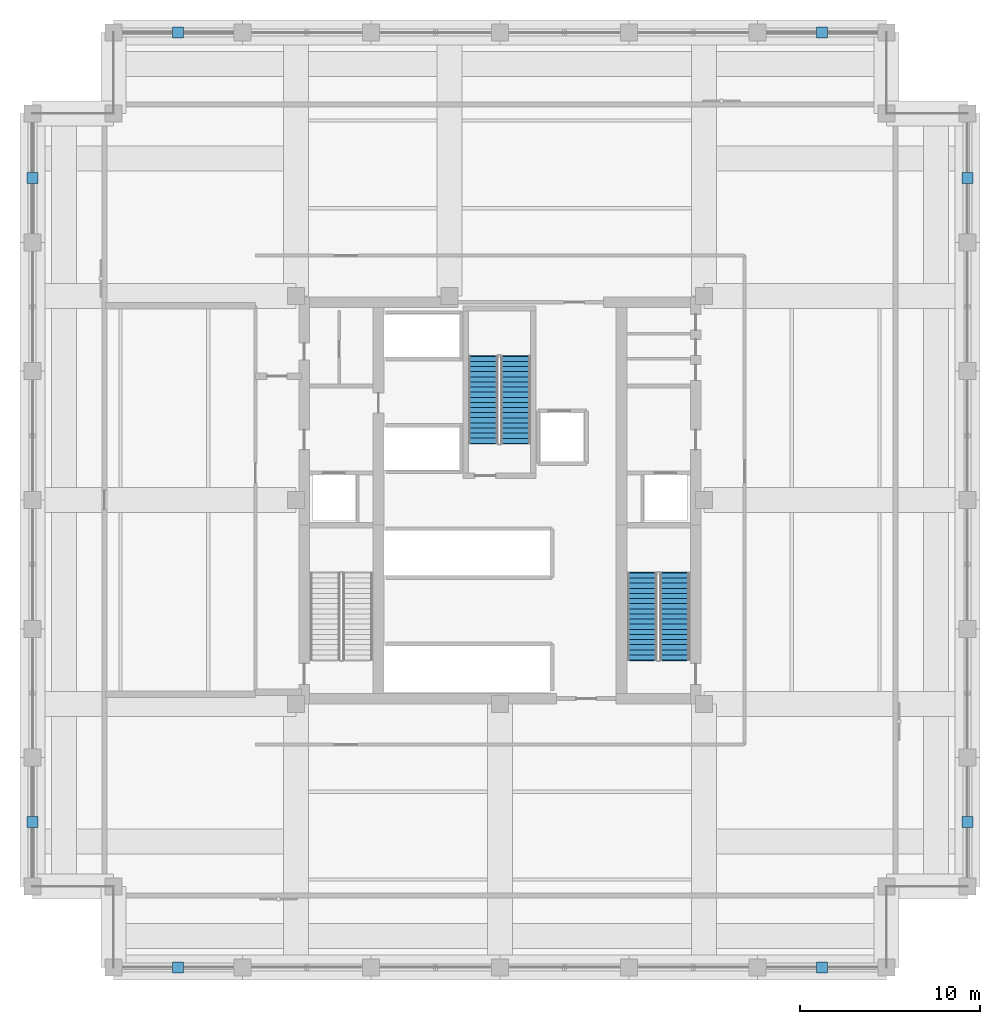
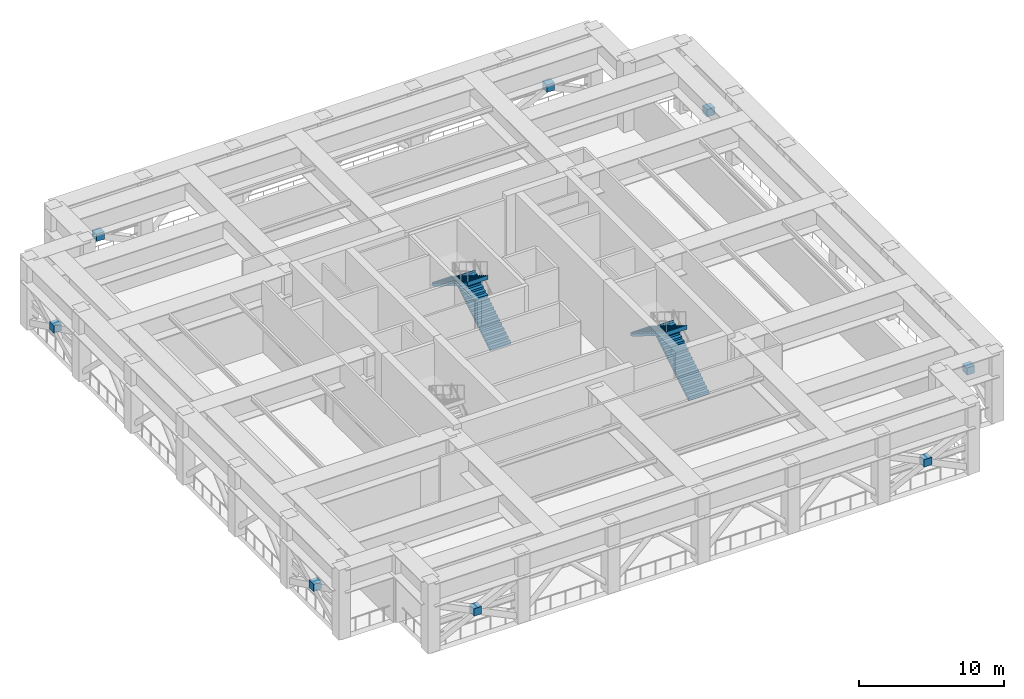
# One storey, part 5 of 12: 8 discrete accessories, 4 stair flights, 2 elements without a shape of their own.
"""IFC4 building model written with IfcOpenShell, lengths in metres."""

from ifc_helpers import new_model, si_unit, direction, frame, origin, origin_2d, place, context, subcontext, project, spatial, polyline, rectangle, outline, extrude, material, type_object, element, aggregate, save


model = new_model("IFC4")

# Units and contexts
model_context = context("Model", 3, precision=1e-05, world=origin(), true_north=direction((0.0, 1.0)))
body_context = subcontext(model_context, "Body", "Model", "MODEL_VIEW")
ifc_project = project(units=[si_unit("LENGTHUNIT", "METRE"), si_unit("AREAUNIT", "SQUARE_METRE"), si_unit("VOLUMEUNIT", "CUBIC_METRE"), si_unit("PLANEANGLEUNIT", "RADIAN"), si_unit("MASSUNIT", "GRAM", prefix="KILO")], contexts=[model_context])

# Site, building, storey
site_placement = place(None, origin())
site = spatial("IfcSite", under=ifc_project, at=site_placement, CompositionType="ELEMENT")
building_placement = place(site_placement, origin())
building = spatial("IfcBuilding", under=site, at=building_placement, Name="Nhamokura Convention Tower", CompositionType="ELEMENT")
storey_placement = place(building_placement, frame((0.0, 0.0, 176.050048828125)))
storey = spatial("IfcBuildingStorey", under=building, at=storey_placement, Name="L43", CompositionType="ELEMENT", Elevation=176.050048828125)

# Stair, stair flights
ifc_material_1 = material(Name="Concrete C40/50", Category="concrete")
stair_type = type_object("IfcStairType", Name="TowerCoreStair_1650", PredefinedType="HALF_TURN_STAIR", material=ifc_material_1)
stair_1_placement = place(storey_placement, origin())
stair_1 = element("IfcStair", 1, at=stair_1_placement, inside=storey, type_object=stair_type, Name="L43 East Core Smokeproof Stair ST-02", PredefinedType="HALF_TURN_STAIR")
ifc_material_2 = material(Name="Concrete C40/50", Category="concrete")
stair_flight_type = type_object("IfcStairFlightType", Name="TowerCoreStair_1650_Flight", PredefinedType="STRAIGHT", material=ifc_material_2)
stair_flight_1_placement = place(storey_placement, frame((41.72509765625, 23.10009765625, 0.0), z_axis=(0.0, 0.0, 1.0), x_axis=(0.0, 1.0, 0.0)))
stair_flight_1 = element("IfcStairFlight", 2, at=stair_flight_1_placement, type_object=stair_flight_type, Name="ST-02 flight 1", NumberOfRisers=18, NumberOfTreads=17, PredefinedType="STRAIGHT", RiserHeight=0.175, TreadLength=0.285, context=body_context, shape_type="SweptSolid", body=[
    extrude(outline(polyline([(-0.0419921875, 0.0), (0.0, 0.175048828125), (0.284912109375, 0.175048828125), (0.284912109375, 0.35009765625), (0.570068359375, 0.35009765625), (0.570068359375, 0.52490234375), (0.85498046875, 0.52490234375), (0.85498046875, 0.699951171875), (1.139892578125, 0.699951171875), (1.139892578125, 0.875), (1.425048828125, 0.875), (1.425048828125, 1.050048828125), (1.7099609375, 1.050048828125), (1.7099609375, 1.22509765625), (1.9951171875, 1.22509765625), (1.9951171875, 1.39990234375), (2.280029296875, 1.39990234375), (2.280029296875, 1.574951171875), (2.56494140625, 1.574951171875), (2.56494140625, 1.75), (2.85009765625, 1.75), (2.85009765625, 1.925048828125), (3.135009765625, 1.925048828125), (3.135009765625, 2.10009765625), (3.419921875, 2.10009765625), (3.419921875, 2.27490234375), (3.705078125, 2.27490234375), (3.705078125, 2.449951171875), (3.989990234375, 2.449951171875), (3.989990234375, 2.625), (4.27490234375, 2.625), (4.27490234375, 2.800048828125), (4.56005859375, 2.800048828125), (4.56005859375, 2.97509765625), (4.844970703125, 2.97509765625), (4.844970703125, 3.14990234375), (4.886962890625, 3.14990234375), (4.886962890625, 2.799072265625), (4.844970703125, 2.799072265625), (0.286376953125, 0.0), (0.02001953125, -0.1298828125), (-0.0419921875, -0.1298828125), (-0.0419921875, 0.0)])), frame((0.0, 0.824951171875, 0.0), z_axis=(0.0, -1.0, 0.0), x_axis=(1.0, 0.0, 0.0)), (0.0, 0.0, 1.0), 1.64990234375),
])
stair_flight_2_placement = place(storey_placement, frame((39.925048828125, 27.945068359375, 3.14990234375), z_axis=(0.0, 0.0, 1.0), x_axis=(0.0, -1.0, 0.0)))
stair_flight_2 = element("IfcStairFlight", 3, at=stair_flight_2_placement, type_object=stair_flight_type, Name="ST-02 flight 2", NumberOfRisers=18, NumberOfTreads=17, PredefinedType="STRAIGHT", RiserHeight=0.175, TreadLength=0.285, context=body_context, shape_type="SweptSolid", body=[
    extrude(outline(polyline([(-0.0419921875, 0.0), (0.0, 0.175048828125), (0.284912109375, 0.175048828125), (0.284912109375, 0.35009765625), (0.570068359375, 0.35009765625), (0.570068359375, 0.52490234375), (0.85498046875, 0.52490234375), (0.85498046875, 0.699951171875), (1.139892578125, 0.699951171875), (1.139892578125, 0.875), (1.425048828125, 0.875), (1.425048828125, 1.050048828125), (1.7099609375, 1.050048828125), (1.7099609375, 1.22509765625), (1.9951171875, 1.22509765625), (1.9951171875, 1.39990234375), (2.280029296875, 1.39990234375), (2.280029296875, 1.574951171875), (2.56494140625, 1.574951171875), (2.56494140625, 1.75), (2.85009765625, 1.75), (2.85009765625, 1.925048828125), (3.135009765625, 1.925048828125), (3.135009765625, 2.10009765625), (3.419921875, 2.10009765625), (3.419921875, 2.27490234375), (3.705078125, 2.27490234375), (3.705078125, 2.449951171875), (3.989990234375, 2.449951171875), (3.989990234375, 2.625), (4.27490234375, 2.625), (4.27490234375, 2.800048828125), (4.56005859375, 2.800048828125), (4.56005859375, 2.97509765625), (4.844970703125, 2.97509765625), (4.844970703125, 3.14990234375), (4.886962890625, 3.14990234375), (4.886962890625, 2.799072265625), (4.844970703125, 2.799072265625), (0.286376953125, 0.0), (0.02001953125, -0.1298828125), (-0.0419921875, -0.1298828125), (-0.0419921875, 0.0)])), frame((0.0, 0.824951171875, 0.0), z_axis=(0.0, -1.0, 0.0), x_axis=(1.0, 0.0, 0.0)), (0.0, 0.0, 1.0), 1.64990234375),
])
aggregate(stair_1, [stair_flight_1, stair_flight_2])

stair_2_placement = place(storey_placement, origin())
stair_2 = element("IfcStair", 4, at=stair_2_placement, inside=storey, type_object=stair_type, Name="L43 North Core Smokeproof Stair ST-03", PredefinedType="HALF_TURN_STAIR")
stair_flight_3_placement = place(storey_placement, frame((32.875, 35.14990234375, 0.0), z_axis=(0.0, 0.0, 1.0), x_axis=(0.0, 1.0, 0.0)))
stair_flight_3 = element("IfcStairFlight", 5, at=stair_flight_3_placement, type_object=stair_flight_type, Name="ST-03 flight 1", NumberOfRisers=18, NumberOfTreads=17, PredefinedType="STRAIGHT", RiserHeight=0.175, TreadLength=0.285, context=body_context, shape_type="SweptSolid", body=[
    extrude(outline(polyline([(-0.0419921875, 0.0), (0.0, 0.175048828125), (0.284912109375, 0.175048828125), (0.284912109375, 0.35009765625), (0.570068359375, 0.35009765625), (0.570068359375, 0.52490234375), (0.85498046875, 0.52490234375), (0.85498046875, 0.699951171875), (1.139892578125, 0.699951171875), (1.139892578125, 0.875), (1.425048828125, 0.875), (1.425048828125, 1.050048828125), (1.7099609375, 1.050048828125), (1.7099609375, 1.22509765625), (1.9951171875, 1.22509765625), (1.9951171875, 1.39990234375), (2.280029296875, 1.39990234375), (2.280029296875, 1.574951171875), (2.56494140625, 1.574951171875), (2.56494140625, 1.75), (2.85009765625, 1.75), (2.85009765625, 1.925048828125), (3.135009765625, 1.925048828125), (3.135009765625, 2.10009765625), (3.419921875, 2.10009765625), (3.419921875, 2.27490234375), (3.705078125, 2.27490234375), (3.705078125, 2.449951171875), (3.989990234375, 2.449951171875), (3.989990234375, 2.625), (4.27490234375, 2.625), (4.27490234375, 2.800048828125), (4.56005859375, 2.800048828125), (4.56005859375, 2.97509765625), (4.844970703125, 2.97509765625), (4.844970703125, 3.14990234375), (4.886962890625, 3.14990234375), (4.886962890625, 2.799072265625), (4.844970703125, 2.799072265625), (0.286376953125, 0.0), (0.02001953125, -0.1298828125), (-0.0419921875, -0.1298828125), (-0.0419921875, 0.0)])), frame((0.0, 0.824951171875, 0.0), z_axis=(0.0, -1.0, 0.0), x_axis=(1.0, 0.0, 0.0)), (0.0, 0.0, 1.0), 1.64990234375),
])
stair_flight_4_placement = place(storey_placement, frame((31.074951171875, 39.9951171875, 3.14990234375), z_axis=(0.0, 0.0, 1.0), x_axis=(0.0, -1.0, 0.0)))
stair_flight_4 = element("IfcStairFlight", 6, at=stair_flight_4_placement, type_object=stair_flight_type, Name="ST-03 flight 2", NumberOfRisers=18, NumberOfTreads=17, PredefinedType="STRAIGHT", RiserHeight=0.175, TreadLength=0.285, context=body_context, shape_type="SweptSolid", body=[
    extrude(outline(polyline([(-0.0419921875, 0.0), (0.0, 0.175048828125), (0.284912109375, 0.175048828125), (0.284912109375, 0.35009765625), (0.570068359375, 0.35009765625), (0.570068359375, 0.52490234375), (0.85498046875, 0.52490234375), (0.85498046875, 0.699951171875), (1.139892578125, 0.699951171875), (1.139892578125, 0.875), (1.425048828125, 0.875), (1.425048828125, 1.050048828125), (1.7099609375, 1.050048828125), (1.7099609375, 1.22509765625), (1.9951171875, 1.22509765625), (1.9951171875, 1.39990234375), (2.280029296875, 1.39990234375), (2.280029296875, 1.574951171875), (2.56494140625, 1.574951171875), (2.56494140625, 1.75), (2.85009765625, 1.75), (2.85009765625, 1.925048828125), (3.135009765625, 1.925048828125), (3.135009765625, 2.10009765625), (3.419921875, 2.10009765625), (3.419921875, 2.27490234375), (3.705078125, 2.27490234375), (3.705078125, 2.449951171875), (3.989990234375, 2.449951171875), (3.989990234375, 2.625), (4.27490234375, 2.625), (4.27490234375, 2.800048828125), (4.56005859375, 2.800048828125), (4.56005859375, 2.97509765625), (4.844970703125, 2.97509765625), (4.844970703125, 3.14990234375), (4.886962890625, 3.14990234375), (4.886962890625, 2.799072265625), (4.844970703125, 2.799072265625), (0.286376953125, 0.0), (0.02001953125, -0.1298828125), (-0.0419921875, -0.1298828125), (-0.0419921875, 0.0)])), frame((0.0, 0.824951171875, 0.0), z_axis=(0.0, -1.0, 0.0), x_axis=(1.0, 0.0, 0.0)), (0.0, 0.0, 1.0), 1.64990234375),
])
aggregate(stair_2, [stair_flight_3, stair_flight_4])

# Discrete accessories
ifc_material_3 = material(Name="Steel ASTM A572 Gr 50", Category="steel")
discrete_accessory_type = type_object("IfcDiscreteAccessoryType", Name="FacadeOutstandBracket", PredefinedType="BRACKET", material=ifc_material_3)
for number, where, z_axis, x_axis, name in (
    (7, (14.083251953125, 6.0, 1.77978515625), (0.0, 0.0, 1.0), (1.0, 0.0, 0.0), "L43 Outrigger X-Brace Crossing Node Gusset OUT-S0"),
    (8, (49.916748046875, 6.0, 1.77978515625), (0.0, 0.0, 1.0), (1.0, 0.0, 0.0), "L43 Outrigger X-Brace Crossing Node Gusset OUT-S5"),
    (9, (14.083251953125, 58.0, 1.77978515625), (0.0, 0.0, 1.0), (1.0, 0.0, 0.0), "L43 Outrigger X-Brace Crossing Node Gusset OUT-N0"),
    (10, (49.916748046875, 58.0, 1.77978515625), (0.0, 0.0, 1.0), (1.0, 0.0, 0.0), "L43 Outrigger X-Brace Crossing Node Gusset OUT-N5"),
    (11, (6.0, 14.083251953125, 1.77978515625), (0.0, 0.0, 1.0), (1.0, 0.0, 0.0), "L43 Outrigger X-Brace Crossing Node Gusset OUT-W0"),
    (12, (6.0, 49.916748046875, 1.77978515625), (0.0, 0.0, 1.0), (1.0, 0.0, 0.0), "L43 Outrigger X-Brace Crossing Node Gusset OUT-W5"),
    (13, (58.0, 14.083251953125, 1.77978515625), (0.0, 0.0, 1.0), (1.0, 0.0, 0.0), "L43 Outrigger X-Brace Crossing Node Gusset OUT-E0"),
    (14, (58.0, 49.916748046875, 1.77978515625), (0.0, 0.0, 1.0), (1.0, 0.0, 0.0), "L43 Outrigger X-Brace Crossing Node Gusset OUT-E5"),
):
    element("IfcDiscreteAccessory", number, at=place(storey_placement, frame(where, z_axis=z_axis, x_axis=x_axis)), inside=storey, type_object=discrete_accessory_type, Name=name, PredefinedType="BRACKET", context=body_context, shape_type="SweptSolid", body=[
        extrude(rectangle(XDim=0.6201171875, YDim=0.6201171875, at=origin_2d()), origin(), (0.0, 0.0, 1.0), 0.6201171875),
    ])

save(model, "model.ifc")
